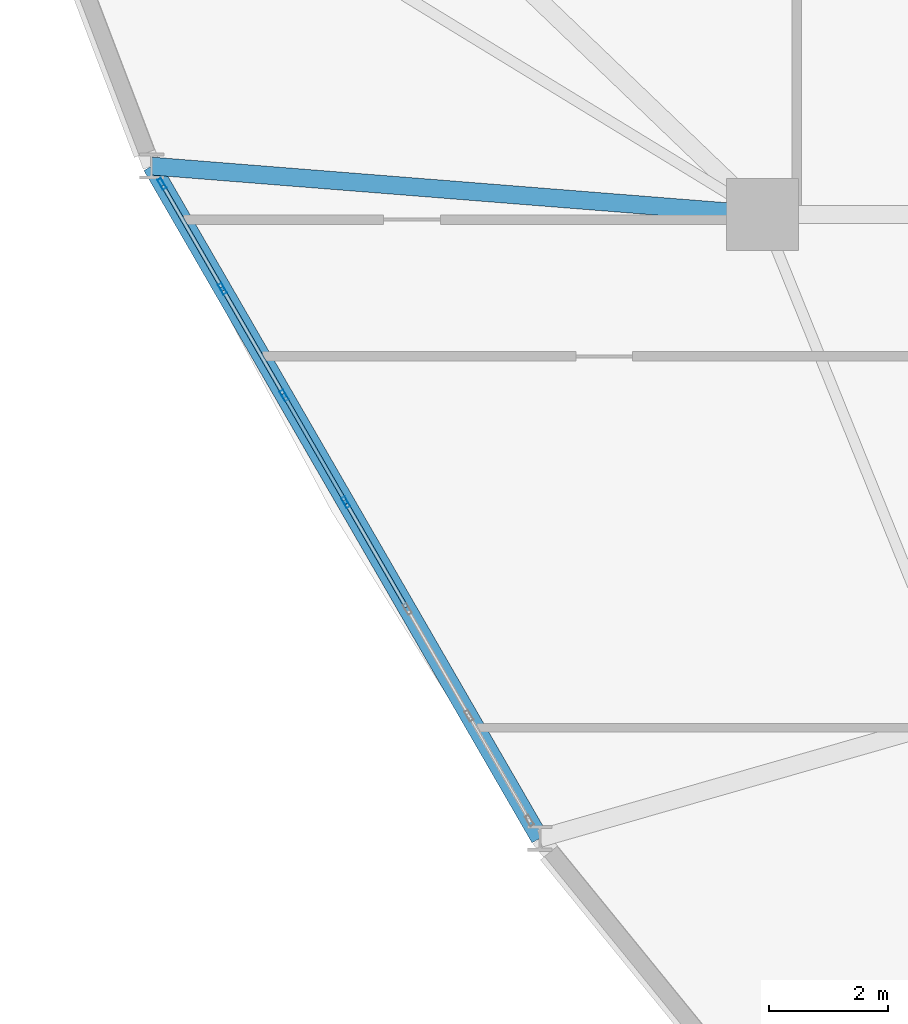
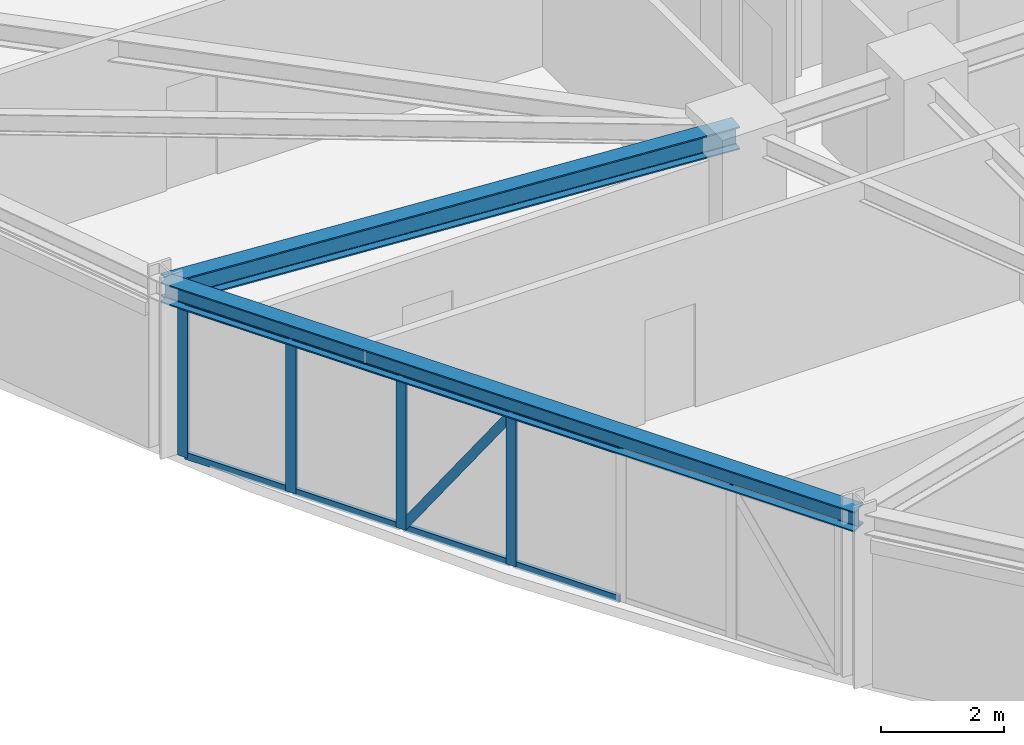
# One storey, part 4 of 15: 13 members, 2 beams, 1 element without a shape of its own.
"""IFC4 building model written with IfcOpenShell, lengths in metres."""

from ifc_helpers import new_model, si_unit, derived_unit, direction, frame, origin, origin_2d, place, context, subcontext, project, spatial, hollow_rectangle, i_section, extrude, source, transform, mapped, material, layer, layer_set, material_profile, profile_set, type_object, element, aggregate, save


model = new_model("IFC4")

# Units and contexts
model_context = context("Model", 3, precision=1e-05, world=origin(), true_north=direction((0.0, 1.0)))
body_context = subcontext(model_context, "Body", "Model", "MODEL_VIEW")
ifc_project = project(units=[si_unit("LENGTHUNIT", "METRE"), si_unit("AREAUNIT", "SQUARE_METRE"), si_unit("VOLUMEUNIT", "CUBIC_METRE"), si_unit("PLANEANGLEUNIT", "RADIAN"), si_unit("MASSUNIT", "GRAM", prefix="KILO"), derived_unit("THERMALTRANSMITTANCEUNIT", [(si_unit("POWERUNIT", "WATT"), 1), (si_unit("LENGTHUNIT", "METRE"), -2), (si_unit("THERMODYNAMICTEMPERATUREUNIT", "KELVIN"), -1)])], contexts=[model_context])

# Site, building, storey
site_placement = place(None, origin())
site = spatial("IfcSite", under=ifc_project, at=site_placement, CompositionType="ELEMENT")
building_placement = place(site_placement, origin())
building = spatial("IfcBuilding", under=site, at=building_placement, Name="Korsvarv Bourse and Concert Hall", CompositionType="ELEMENT")
storey_placement = place(building_placement, frame((0.0, 0.0, 150.60009765625)))
storey = spatial("IfcBuildingStorey", under=building, at=storey_placement, Name="L38", CompositionType="ELEMENT", Elevation=150.60009765625)

# Beams
ifc_material_1 = material(Name="Steel S355", Category="steel")
ifc_material_profile_1 = material_profile(ifc_material_1, i_section(OverallWidth=0.300048828125, OverallDepth=0.39990234375, WebThickness=0.013427734375, FlangeThickness=0.02392578125, FilletRadius=0.02099609375, at=origin_2d()), Name="HEB 400")
ifc_profile_set_1 = profile_set([ifc_material_profile_1], Name="Steel S355")
beam_type_1 = type_object("IfcBeamType", Name="BM-HEB400", PredefinedType="SPANDREL", material=ifc_profile_set_1)
shared_shape_1 = source(origin(), body_context, "Body", "SweptSolid", [
    extrude(i_section(OverallWidth=0.300048828125, OverallDepth=0.39990234375, WebThickness=0.013427734375, FlangeThickness=0.02392578125, FilletRadius=0.02099609375, at=origin_2d()), origin(), (0.0, 0.0, 1.0), 13.001708984375),
])
beam_1_placement = place(storey_placement, frame((13.96875, 33.211669921875, 3.199951171875), z_axis=(0.499994445327, -0.866028610752, 0.0), x_axis=(0.866028610752, 0.499994445327, 0.0)))
element("IfcBeam", 1, at=beam_1_placement, inside=storey, type_object=beam_type_1, Name="L38 beam B-09", PredefinedType="SPANDREL", context=body_context, shape_type="MappedRepresentation", body=[
    mapped(shared_shape_1, transform((0.0, 0.0, 0.0), scale=1.0)),
])
ifc_material_profile_2 = material_profile(ifc_material_1, i_section(OverallWidth=0.300048828125, OverallDepth=0.449951171875, WebThickness=0.013916015625, FlangeThickness=0.02587890625, FilletRadius=0.02099609375, at=origin_2d()), Name="HEB 450")
ifc_profile_set_2 = profile_set([ifc_material_profile_2], Name="Steel S355")
beam_type_2 = type_object("IfcBeamType", Name="BM-HEB450", PredefinedType="SPANDREL", material=ifc_profile_set_2)
shared_shape_2 = source(origin(), body_context, "Body", "SweptSolid", [
    extrude(i_section(OverallWidth=0.300048828125, OverallDepth=0.449951171875, WebThickness=0.013916015625, FlangeThickness=0.02587890625, FilletRadius=0.02099609375, at=origin_2d()), origin(), (0.0, 0.0, 1.0), 10.263427734375),
])
beam_2_placement = place(storey_placement, frame((13.96875, 33.211669921875, 3.1748046875), z_axis=(0.996867179073, -0.079093787921, 0.0), x_axis=(0.079093787921, 0.996867179073, 0.0)))
element("IfcBeam", 2, at=beam_2_placement, inside=storey, type_object=beam_type_2, Name="L38 beam B-08", PredefinedType="SPANDREL", context=body_context, shape_type="MappedRepresentation", body=[
    mapped(shared_shape_2, transform((0.0, 0.0, 0.0), scale=1.0)),
])

# Curtain wall, members
ifc_material_2 = material(Name="Anodised aluminium and triple low-E glazing", Category="glass")
ifc_layer = layer(ifc_material_2, 0.2099609375)
ifc_layer_set = layer_set([ifc_layer], Name="Anodised aluminium and triple low-E glazing")
curtain_wall_type = type_object("IfcCurtainWallType", Name="CW-SYS-2", PredefinedType="NOTDEFINED", material=ifc_layer_set)
curtain_wall_placement = place(storey_placement, origin())
curtain_wall = element("IfcCurtainWall", 3, at=curtain_wall_placement, inside=storey, type_object=curtain_wall_type, Name="L38 CW2 curtain wall CW-L38-F07", PredefinedType="NOTDEFINED")
ifc_material_3 = material(Name="Extruded aluminium EN AW-6063 T66", Category="aluminium")
ifc_material_profile_3 = material_profile(ifc_material_3, hollow_rectangle(XDim=0.070068359375, YDim=0.18994140625, WallThickness=0.0048828125, at=origin_2d()), Name="ALU-M 70x190")
ifc_profile_set_3 = profile_set([ifc_material_profile_3], Name="Extruded aluminium EN AW-6063 T66")
member_type_1 = type_object("IfcMemberType", Name="CWM-190", PredefinedType="MULLION", material=ifc_profile_set_3)
shared_shape_3 = source(origin(), body_context, "Body", "SweptSolid", [
    extrude(hollow_rectangle(XDim=0.070068359375, YDim=0.18994140625, WallThickness=0.0048828125, at=origin_2d()), origin(), (0.0, 0.0, 1.0), 3.0),
])
member_1_placement = place(storey_placement, frame((14.140625, 32.913818359375, 0.0), z_axis=(0.0, 0.0, 1.0), x_axis=(0.866022202013, 0.500005545591, 0.0)))
member_1 = element("IfcMember", 4, at=member_1_placement, type_object=member_type_1, Name="CW2 mullion 1", PredefinedType="MULLION", context=body_context, shape_type="MappedRepresentation", body=[
    mapped(shared_shape_3, transform((0.0, 0.0, 0.0), scale=1.0)),
])
member_2_placement = place(storey_placement, frame((15.1552734375, 31.15673828125, 0.0), z_axis=(0.0, 0.0, 1.0), x_axis=(0.866022202013, 0.500005545591, 0.0)))
member_2 = element("IfcMember", 5, at=member_2_placement, type_object=member_type_1, Name="CW2 mullion 2", PredefinedType="MULLION", context=body_context, shape_type="MappedRepresentation", body=[
    mapped(shared_shape_3, transform((0.0, 0.0, 0.0), scale=1.0)),
])
member_3_placement = place(storey_placement, frame((16.187255859375, 29.369140625, 0.0), z_axis=(0.0, 0.0, 1.0), x_axis=(0.866022202013, 0.500005545591, 0.0)))
member_3 = element("IfcMember", 6, at=member_3_placement, type_object=member_type_1, Name="CW2 mullion 3", PredefinedType="MULLION", context=body_context, shape_type="MappedRepresentation", body=[
    mapped(shared_shape_3, transform((0.0, 0.0, 0.0), scale=1.0)),
])
member_4_placement = place(storey_placement, frame((17.21923828125, 27.581787109375, 0.0), z_axis=(0.0, 0.0, 1.0), x_axis=(0.866022202013, 0.500005545591, 0.0)))
member_4 = element("IfcMember", 7, at=member_4_placement, type_object=member_type_1, Name="CW2 mullion 4", PredefinedType="MULLION", context=body_context, shape_type="MappedRepresentation", body=[
    mapped(shared_shape_3, transform((0.0, 0.0, 0.0), scale=1.0)),
])
ifc_material_profile_4 = material_profile(ifc_material_3, hollow_rectangle(XDim=0.06494140625, YDim=0.139892578125, WallThickness=0.00390625, at=origin_2d()), Name="ALU-T 65x140")
ifc_profile_set_4 = profile_set([ifc_material_profile_4], Name="Extruded aluminium EN AW-6063 T66")
member_type_2 = type_object("IfcMemberType", Name="CWT-140", PredefinedType="USERDEFINED", material=ifc_profile_set_4)
shared_shape_4 = source(origin(), body_context, "Body", "SweptSolid", [
    extrude(hollow_rectangle(XDim=0.06494140625, YDim=0.139892578125, WallThickness=0.00390625, at=origin_2d()), origin(), (0.0, 0.0, 1.0), 1.958984375),
])
member_5_placement = place(storey_placement, frame((14.158203125, 32.883544921875, 0.032470703125), z_axis=(0.499999343788, -0.866025782648, 0.0), x_axis=(0.866025782648, 0.499999343788, 0.0)))
member_5 = element("IfcMember", 8, at=member_5_placement, type_object=member_type_2, Name="CW2 transom 1.1", ObjectType="TRANSOM", PredefinedType="USERDEFINED", context=body_context, shape_type="MappedRepresentation", body=[
    mapped(shared_shape_4, transform((0.0, 0.0, 0.0), scale=1.0)),
])
member_6_placement = place(storey_placement, frame((14.158203125, 32.883544921875, 2.96728515625), z_axis=(0.499999343788, -0.866025782648, 0.0), x_axis=(0.866025782648, 0.499999343788, 0.0)))
member_6 = element("IfcMember", 9, at=member_6_placement, type_object=member_type_2, Name="CW2 transom 1.2", ObjectType="TRANSOM", PredefinedType="USERDEFINED", context=body_context, shape_type="MappedRepresentation", body=[
    mapped(shared_shape_4, transform((0.0, 0.0, 0.0), scale=1.0)),
])
shared_shape_5 = source(origin(), body_context, "Body", "SweptSolid", [
    extrude(hollow_rectangle(XDim=0.06494140625, YDim=0.139892578125, WallThickness=0.00390625, at=origin_2d()), origin(), (0.0, 0.0, 1.0), 1.993896484375),
])
member_7_placement = place(storey_placement, frame((15.172607421875, 31.126220703125, 0.032470703125), z_axis=(0.500036872922, -0.866004114147, 0.0), x_axis=(0.866004114147, 0.500036872922, 0.0)))
member_7 = element("IfcMember", 10, at=member_7_placement, type_object=member_type_2, Name="CW2 transom 2.1", ObjectType="TRANSOM", PredefinedType="USERDEFINED", context=body_context, shape_type="MappedRepresentation", body=[
    mapped(shared_shape_5, transform((0.0, 0.0, 0.0), scale=1.0)),
])
member_8_placement = place(storey_placement, frame((15.172607421875, 31.126220703125, 2.96728515625), z_axis=(0.500036872922, -0.866004114147, 0.0), x_axis=(0.866004114147, 0.500036872922, 0.0)))
member_8 = element("IfcMember", 11, at=member_8_placement, type_object=member_type_2, Name="CW2 transom 2.2", ObjectType="TRANSOM", PredefinedType="USERDEFINED", context=body_context, shape_type="MappedRepresentation", body=[
    mapped(shared_shape_5, transform((0.0, 0.0, 0.0), scale=1.0)),
])
member_9_placement = place(storey_placement, frame((16.20458984375, 29.3388671875, 0.032470703125), z_axis=(0.500036872922, -0.866004114147, 0.0), x_axis=(0.866004114147, 0.500036872922, 0.0)))
member_9 = element("IfcMember", 12, at=member_9_placement, type_object=member_type_2, Name="CW2 transom 3.1", ObjectType="TRANSOM", PredefinedType="USERDEFINED", context=body_context, shape_type="MappedRepresentation", body=[
    mapped(shared_shape_5, transform((0.0, 0.0, 0.0), scale=1.0)),
])
member_10_placement = place(storey_placement, frame((16.20458984375, 29.3388671875, 2.96728515625), z_axis=(0.500036872922, -0.866004114147, 0.0), x_axis=(0.866004114147, 0.500036872922, 0.0)))
member_10 = element("IfcMember", 13, at=member_10_placement, type_object=member_type_2, Name="CW2 transom 3.2", ObjectType="TRANSOM", PredefinedType="USERDEFINED", context=body_context, shape_type="MappedRepresentation", body=[
    mapped(shared_shape_5, transform((0.0, 0.0, 0.0), scale=1.0)),
])
member_11_placement = place(storey_placement, frame((17.23681640625, 27.551513671875, 0.032470703125), z_axis=(0.499945040489, -0.866057132348, 0.0), x_axis=(0.866057132348, 0.499945040489, 0.0)))
member_11 = element("IfcMember", 14, at=member_11_placement, type_object=member_type_2, Name="CW2 transom 4.1", ObjectType="TRANSOM", PredefinedType="USERDEFINED", context=body_context, shape_type="MappedRepresentation", body=[
    mapped(shared_shape_5, transform((0.0, 0.0, 0.0), scale=1.0)),
])
member_12_placement = place(storey_placement, frame((17.23681640625, 27.551513671875, 2.96728515625), z_axis=(0.499945040489, -0.866057132348, 0.0), x_axis=(0.866057132348, 0.499945040489, 0.0)))
member_12 = element("IfcMember", 15, at=member_12_placement, type_object=member_type_2, Name="CW2 transom 4.2", ObjectType="TRANSOM", PredefinedType="USERDEFINED", context=body_context, shape_type="MappedRepresentation", body=[
    mapped(shared_shape_5, transform((0.0, 0.0, 0.0), scale=1.0)),
])
ifc_material_profile_5 = material_profile(ifc_material_3, hollow_rectangle(XDim=0.06494140625, YDim=0.1650390625, WallThickness=0.0048828125, at=origin_2d()), Name="ALU-M 65x165")
ifc_profile_set_5 = profile_set([ifc_material_profile_5], Name="Extruded aluminium EN AW-6063 T66")
member_type_3 = type_object("IfcMemberType", Name="CWM-165", PredefinedType="MULLION", material=ifc_profile_set_5)
shared_shape_6 = source(origin(), body_context, "Body", "SweptSolid", [
    extrude(hollow_rectangle(XDim=0.06494140625, YDim=0.1650390625, WallThickness=0.0048828125, at=origin_2d()), origin(), (0.0, 0.0, 1.0), 3.49462890625),
])
member_13_placement = place(storey_placement, frame((16.20458984375, 29.3388671875, 0.06494140625), z_axis=(0.285317990747, -0.494136667128, 0.821232365629), x_axis=(0.866004114147, 0.500036872922, 0.0)))
member_13 = element("IfcMember", 16, at=member_13_placement, type_object=member_type_3, Name="CW2 diagonal mullion 3", PredefinedType="MULLION", context=body_context, shape_type="MappedRepresentation", body=[
    mapped(shared_shape_6, transform((0.0, 0.0, 0.0), scale=1.0)),
])
aggregate(curtain_wall, [member_1, member_2, member_3, member_4, member_5, member_6, member_7, member_8, member_9, member_10, member_13, member_11, member_12])

save(model, "model.ifc")
